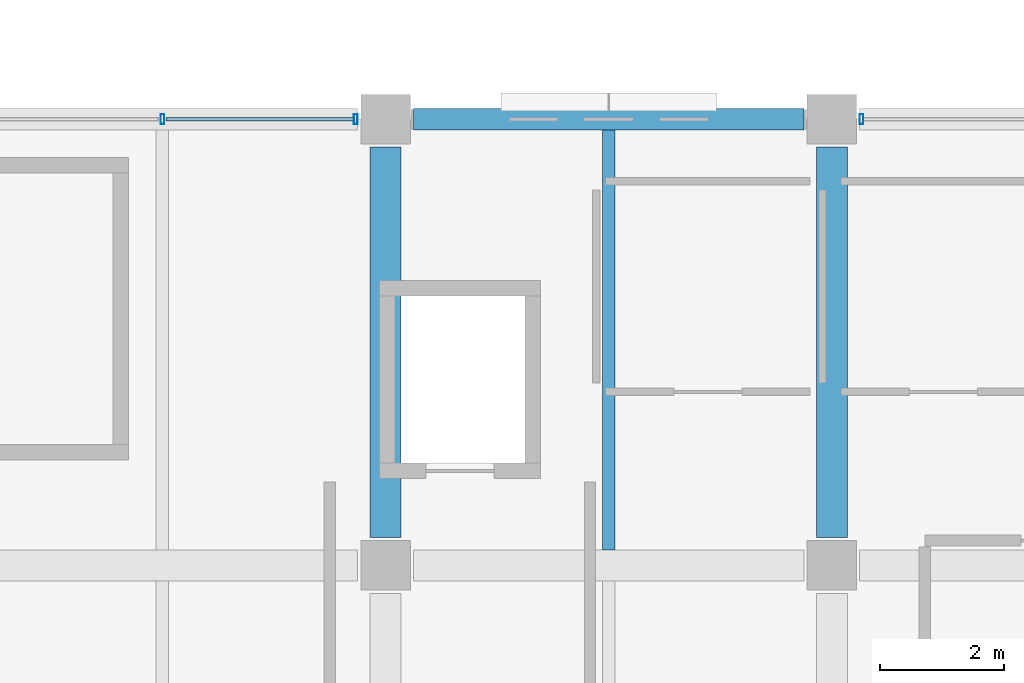
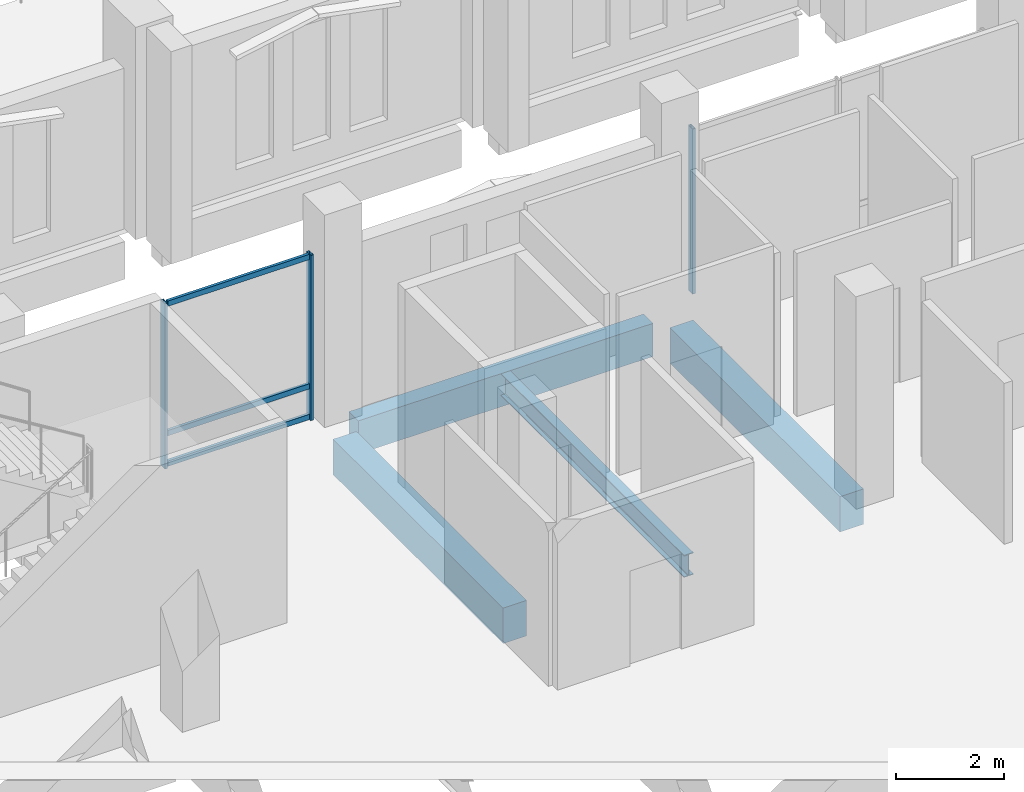
# One storey, part 97 of 220: 6 members, 4 beams, 2 elements without a shape of their own.
"""IFC4 building model written with IfcOpenShell, lengths in metres."""

from ifc_helpers import new_model, si_unit, direction, frame, origin, origin_2d, place, context, subcontext, project, spatial, rectangle, hollow_rectangle, i_section, extrude, material, material_profile, profile_set, type_object, element, aggregate, save


model = new_model("IFC4")

# Units and contexts
model_context = context("Model", 3, precision=1e-05, world=origin(), true_north=direction((0.0, 1.0)))
body_context = subcontext(model_context, "Body", "Model", "MODEL_VIEW")
ifc_project = project(units=[si_unit("LENGTHUNIT", "METRE"), si_unit("AREAUNIT", "SQUARE_METRE"), si_unit("VOLUMEUNIT", "CUBIC_METRE"), si_unit("PLANEANGLEUNIT", "RADIAN"), si_unit("MASSUNIT", "GRAM", prefix="KILO")], contexts=[model_context])

# Site, building, storey
site_placement = place(None, origin())
site = spatial("IfcSite", under=ifc_project, at=site_placement, CompositionType="ELEMENT")
building_placement = place(site_placement, origin())
building = spatial("IfcBuilding", under=site, at=building_placement, Name="Cendralis Lancet Convention Centre", CompositionType="ELEMENT")
storey_placement = place(building_placement, frame((0.0, 0.0, 5.39990234375)))
storey = spatial("IfcBuildingStorey", under=building, at=storey_placement, Name="L01", CompositionType="ELEMENT", Elevation=5.39990234375)

# Curtain wall, members
ifc_material_1 = material(Name="Anodised bronze architectural aluminium", Category="aluminium")
curtain_wall_type = type_object("IfcCurtainWallType", Name="ARC-CW-CL02", PredefinedType="USERDEFINED", material=ifc_material_1)
curtain_wall_1_placement = place(storey_placement, origin())
curtain_wall_1 = element("IfcCurtainWall", 1, at=curtain_wall_1_placement, inside=storey, type_object=curtain_wall_type, Name="L01 Curtain Wall CW-CL2 #183", ObjectType="CURTAIN WALL", PredefinedType="USERDEFINED")
ifc_material_profile_1 = material_profile(ifc_material_1, hollow_rectangle(XDim=0.06005859375, YDim=0.159912109375, WallThickness=0.00390625, at=origin_2d()), Name="AL-MULL 60x160x4.0")
ifc_profile_set_1 = profile_set([ifc_material_profile_1], Name="Anodised bronze architectural aluminium")
member_type_1 = type_object("IfcMemberType", Name="ARC-CW-ML01", PredefinedType="MULLION", material=ifc_profile_set_1)
member_1_placement = place(storey_placement, frame((178.800048828125, 36.0, 0.0), z_axis=(0.0, 0.0, 1.0), x_axis=(1.0, 0.0, 0.0)))
member_1 = element("IfcMember", 2, at=member_1_placement, type_object=member_type_1, Name="Mullion CW2-CW-CL2-L01-183-M1", PredefinedType="MULLION", context=body_context, shape_type="SweptSolid", body=[
    extrude(hollow_rectangle(XDim=0.06005859375, YDim=0.159912109375, WallThickness=0.00390625, at=origin_2d()), origin(), (0.0, 0.0, 1.0), 3.735107421875),
])
member_2_placement = place(storey_placement, frame((181.919921875, 36.0, 0.0), z_axis=(0.0, 0.0, 1.0), x_axis=(1.0, 0.0, 0.0)))
member_2 = element("IfcMember", 3, at=member_2_placement, type_object=member_type_1, Name="Mullion CW2-CW-CL2-L01-183-M2", PredefinedType="MULLION", context=body_context, shape_type="SweptSolid", body=[
    extrude(hollow_rectangle(XDim=0.06005859375, YDim=0.159912109375, WallThickness=0.00390625, at=origin_2d()), origin(), (0.0, 0.0, 1.0), 3.735107421875),
])

# Curtain wall, member
curtain_wall_2_placement = place(storey_placement, origin())
curtain_wall_2 = element("IfcCurtainWall", 4, at=curtain_wall_2_placement, inside=storey, type_object=curtain_wall_type, Name="L01 Curtain Wall CW-CL2 #184", ObjectType="CURTAIN WALL", PredefinedType="USERDEFINED")
member_3_placement = place(storey_placement, frame((190.080078125, 36.0, 0.0), z_axis=(0.0, 0.0, 1.0), x_axis=(1.0, 0.0, 0.0)))
member_3 = element("IfcMember", 5, at=member_3_placement, type_object=member_type_1, Name="Mullion CW2-CW-CL2-L01-184-M0", PredefinedType="MULLION", context=body_context, shape_type="SweptSolid", body=[
    extrude(hollow_rectangle(XDim=0.06005859375, YDim=0.159912109375, WallThickness=0.00390625, at=origin_2d()), origin(), (0.0, 0.0, 1.0), 3.735107421875),
])
aggregate(curtain_wall_2, [member_3])

# Member
ifc_material_profile_2 = material_profile(ifc_material_1, hollow_rectangle(XDim=0.06005859375, YDim=0.1201171875, WallThickness=0.00390625, at=origin_2d()), Name="AL-TRAN 60x120x4.0")
ifc_profile_set_2 = profile_set([ifc_material_profile_2], Name="Anodised bronze architectural aluminium")
member_type_2 = type_object("IfcMemberType", Name="ARC-CW-TR01", PredefinedType="USERDEFINED", material=ifc_profile_set_2)
member_4_placement = place(storey_placement, frame((178.860107421875, 36.0, 0.06005859375), z_axis=(1.0, 0.0, 0.0), x_axis=(0.0, 1.0, 0.0)))
member_4 = element("IfcMember", 6, at=member_4_placement, type_object=member_type_2, Name="Transom CW2-CW-CL2-L01-183-T1BOT", ObjectType="TRANSOM", PredefinedType="USERDEFINED", context=body_context, shape_type="SweptSolid", body=[
    extrude(hollow_rectangle(XDim=0.06005859375, YDim=0.1201171875, WallThickness=0.00390625, at=origin_2d()), origin(), (0.0, 0.0, 1.0), 3.02978515625),
])

member_5_placement = place(storey_placement, frame((178.860107421875, 36.0, 0.75), z_axis=(1.0, 0.0, 0.0), x_axis=(0.0, 1.0, 0.0)))
member_5 = element("IfcMember", 7, at=member_5_placement, type_object=member_type_2, Name="Transom CW2-CW-CL2-L01-183-T1MID", ObjectType="TRANSOM", PredefinedType="USERDEFINED", context=body_context, shape_type="SweptSolid", body=[
    extrude(hollow_rectangle(XDim=0.06005859375, YDim=0.1201171875, WallThickness=0.00390625, at=origin_2d()), origin(), (0.0, 0.0, 1.0), 3.02978515625),
])

member_6_placement = place(storey_placement, frame((178.860107421875, 36.0, 3.675048828125), z_axis=(1.0, 0.0, 0.0), x_axis=(0.0, 1.0, 0.0)))
member_6 = element("IfcMember", 8, at=member_6_placement, type_object=member_type_2, Name="Transom CW2-CW-CL2-L01-183-T1TOP", ObjectType="TRANSOM", PredefinedType="USERDEFINED", context=body_context, shape_type="SweptSolid", body=[
    extrude(hollow_rectangle(XDim=0.06005859375, YDim=0.1201171875, WallThickness=0.00390625, at=origin_2d()), origin(), (0.0, 0.0, 1.0), 3.02978515625),
])

aggregate(curtain_wall_1, [member_1, member_2, member_4, member_5, member_6])

# Beams
ifc_material_2 = material(Name="Concrete G35 (C35/45)", Category="concrete")
ifc_material_profile_3 = material_profile(ifc_material_2, rectangle(XDim=0.5, YDim=0.800048828125, at=origin_2d()), Name="RCB 500x800")
ifc_profile_set_3 = profile_set([ifc_material_profile_3], Name="Concrete G35 (C35/45)")
beam_type_1 = type_object("IfcBeamType", Name="STR-BM-BG09", PredefinedType="BEAM", material=ifc_profile_set_3)
for number, where, z_axis, x_axis, name in (
    (9, (182.39990234375, 29.25, -0.679931640625), (0.0, 1.0, 0.0), (-1.0, 0.0, 0.0), "L01 Beam BG09 #0206"),
    (10, (189.60009765625, 29.25, -0.679931640625), (0.0, 1.0, 0.0), (-1.0, 0.0, 0.0), "L01 Beam BG09 #0210"),
):
    element("IfcBeam", number, at=place(storey_placement, frame(where, z_axis=z_axis, x_axis=x_axis)), inside=storey, type_object=beam_type_1, Name=name, PredefinedType="BEAM", context=body_context, shape_type="SweptSolid", body=[
        extrude(rectangle(XDim=0.5, YDim=0.800048828125, at=origin_2d()), origin(), (0.0, 0.0, 1.0), 6.300048828125),
    ])
ifc_material_3 = material(Name="Steel S355", Category="steel")
ifc_material_profile_4 = material_profile(ifc_material_3, i_section(OverallWidth=0.199951171875, OverallDepth=0.5, WebThickness=0.01025390625, FlangeThickness=0.01611328125, FilletRadius=0.02099609375, at=origin_2d()), Name="IPE 500")
ifc_profile_set_4 = profile_set([ifc_material_profile_4], Name="Steel S355")
beam_type_2 = type_object("IfcBeamType", Name="STR-JS-BJ06", PredefinedType="JOIST", material=ifc_profile_set_4)
beam_1_placement = place(storey_placement, frame((186.0, 29.050048828125, -0.52978515625), z_axis=(0.0, 1.0, 0.0), x_axis=(-1.0, 0.0, 0.0)))
element("IfcBeam", 11, at=beam_1_placement, inside=storey, type_object=beam_type_2, Name="L01 Beam BJ06 #0245", PredefinedType="JOIST", context=body_context, shape_type="SweptSolid", body=[
    extrude(i_section(OverallWidth=0.199951171875, OverallDepth=0.5, WebThickness=0.01025390625, FlangeThickness=0.01611328125, FilletRadius=0.02099609375, at=origin_2d()), origin(), (0.0, 0.0, 1.0), 6.77490234375),
])
ifc_material_4 = material(Name="Concrete G40 (C40/50)", Category="concrete")
ifc_material_profile_5 = material_profile(ifc_material_4, rectangle(XDim=0.35009765625, YDim=0.75, at=origin_2d()), Name="RCB 350x750")
ifc_profile_set_5 = profile_set([ifc_material_profile_5], Name="Concrete G40 (C40/50)")
beam_type_3 = type_object("IfcBeamType", Name="STR-SP-SP01", PredefinedType="SPANDREL", material=ifc_profile_set_5)
beam_2_placement = place(storey_placement, frame((182.85009765625, 36.0, -0.65478515625), z_axis=(1.0, 0.0, 0.0), x_axis=(0.0, 1.0, 0.0)))
element("IfcBeam", 12, at=beam_2_placement, inside=storey, type_object=beam_type_3, Name="L01 Beam SP01 #0174", PredefinedType="SPANDREL", context=body_context, shape_type="SweptSolid", body=[
    extrude(rectangle(XDim=0.35009765625, YDim=0.75, at=origin_2d()), origin(), (0.0, 0.0, 1.0), 6.2998046875),
])

save(model, "model.ifc")
